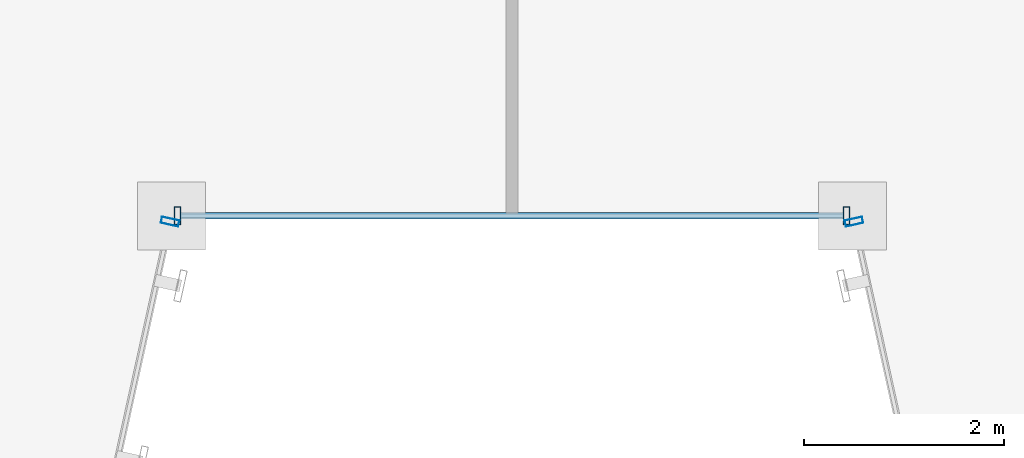
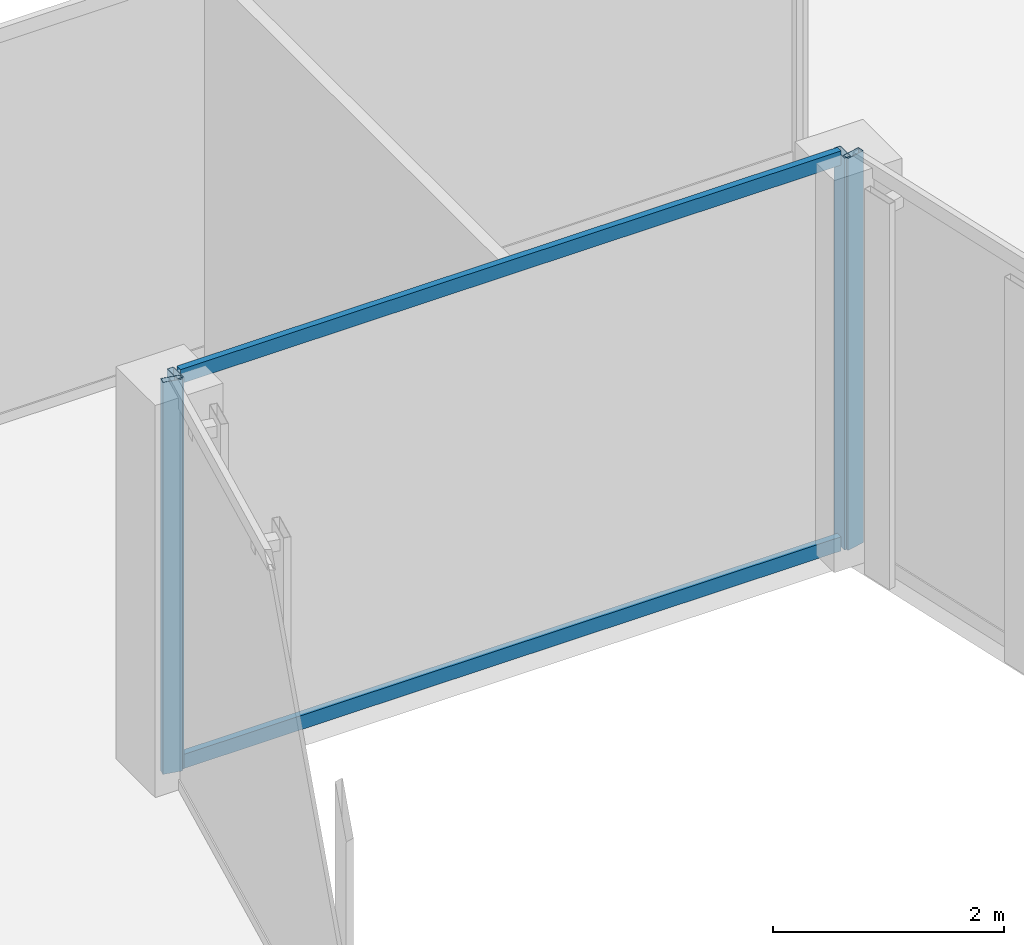
# One storey, part 9 of 47: 6 members, 3 elements without a shape of their own.
"""IFC4 building model written with IfcOpenShell, lengths in metres."""

from ifc_helpers import new_model, si_unit, direction, frame, origin, origin_2d, place, context, subcontext, project, spatial, hollow_rectangle, extrude, material, material_profile, profile_set, type_object, element, aggregate, save


model = new_model("IFC4")

# Units and contexts
model_context = context("Model", 3, precision=1e-05, world=origin(), true_north=direction((0.0, 1.0)))
body_context = subcontext(model_context, "Body", "Model", "MODEL_VIEW")
ifc_project = project(units=[si_unit("LENGTHUNIT", "METRE"), si_unit("AREAUNIT", "SQUARE_METRE"), si_unit("VOLUMEUNIT", "CUBIC_METRE"), si_unit("PLANEANGLEUNIT", "RADIAN"), si_unit("MASSUNIT", "GRAM", prefix="KILO")], contexts=[model_context])

# Site, building, storey
site_placement = place(None, origin())
site = spatial("IfcSite", under=ifc_project, at=site_placement, CompositionType="ELEMENT")
building_placement = place(site_placement, origin())
building = spatial("IfcBuilding", under=site, at=building_placement, Name="Saevonmaru Cultural Tower", CompositionType="ELEMENT")
storey_placement = place(building_placement, frame((0.0, 0.0, 60.39990234375)))
storey = spatial("IfcBuildingStorey", under=building, at=storey_placement, Name="L12", CompositionType="ELEMENT", Elevation=60.39990234375)

# Curtain wall, member
ifc_material = material(Name="Satin Bronze Anodised Aluminium", Category="aluminium")
curtain_wall_type = type_object("IfcCurtainWallType", Name="CW-TYP-A", PredefinedType="NOTDEFINED", material=ifc_material)
curtain_wall_1_placement = place(storey_placement, origin())
curtain_wall_1 = element("IfcCurtainWall", 1, at=curtain_wall_1_placement, inside=storey, type_object=curtain_wall_type, Name="L12 Unitised Curtain Wall E3", PredefinedType="NOTDEFINED")
ifc_material_profile_1 = material_profile(ifc_material, hollow_rectangle(XDim=0.06494140625, YDim=0.179931640625, WallThickness=0.00390625, at=origin_2d()), Name="ALU-MULL-180x65x4")
ifc_profile_set_1 = profile_set([ifc_material_profile_1], Name="Satin Bronze Anodised Aluminium")
member_type_1 = type_object("IfcMemberType", Name="ML-CW-180x65", PredefinedType="MULLION", material=ifc_profile_set_1)
member_1_placement = place(storey_placement, frame((26.587158203125, 15.54150390625, 0.0), z_axis=(0.0, 0.0, 1.0), x_axis=(0.215413319953, 0.976522965212, 0.0)))
member_1 = element("IfcMember", 2, at=member_1_placement, type_object=member_type_1, Name="CW-TW-L12-E3 mullion 2", PredefinedType="MULLION", context=body_context, shape_type="SweptSolid", body=[
    extrude(hollow_rectangle(XDim=0.06494140625, YDim=0.179931640625, WallThickness=0.00390625, at=origin_2d()), origin(), (0.0, 0.0, 1.0), 4.150146484375),
])
aggregate(curtain_wall_1, [member_1])

# Curtain wall, members
curtain_wall_2_placement = place(storey_placement, origin())
curtain_wall_2 = element("IfcCurtainWall", 3, at=curtain_wall_2_placement, inside=storey, type_object=curtain_wall_type, Name="L12 Unitised Curtain Wall E4", PredefinedType="NOTDEFINED")
member_2_placement = place(storey_placement, frame((26.659912109375, 15.60009765625, 0.0), z_axis=(0.0, 0.0, 1.0), x_axis=(1.0, 0.0, 0.0)))
member_2 = element("IfcMember", 4, at=member_2_placement, type_object=member_type_1, Name="CW-TW-L12-E4 mullion 1", PredefinedType="MULLION", context=body_context, shape_type="SweptSolid", body=[
    extrude(hollow_rectangle(XDim=0.06494140625, YDim=0.179931640625, WallThickness=0.00390625, at=origin_2d()), origin(), (0.0, 0.0, 1.0), 4.150146484375),
])
member_3_placement = place(storey_placement, frame((33.340087890625, 15.60009765625, 0.0), z_axis=(0.0, 0.0, 1.0), x_axis=(1.0, 0.0, 0.0)))
member_3 = element("IfcMember", 5, at=member_3_placement, type_object=member_type_1, Name="CW-TW-L12-E4 mullion 2", PredefinedType="MULLION", context=body_context, shape_type="SweptSolid", body=[
    extrude(hollow_rectangle(XDim=0.06494140625, YDim=0.179931640625, WallThickness=0.00390625, at=origin_2d()), origin(), (0.0, 0.0, 1.0), 4.150146484375),
])

# Curtain wall, member
curtain_wall_3_placement = place(storey_placement, origin())
curtain_wall_3 = element("IfcCurtainWall", 6, at=curtain_wall_3_placement, inside=storey, type_object=curtain_wall_type, Name="L12 Unitised Curtain Wall E5", PredefinedType="NOTDEFINED")
member_4_placement = place(storey_placement, frame((33.412841796875, 15.54150390625, 0.0), z_axis=(0.0, 0.0, 1.0), x_axis=(0.215413319953, -0.976522965212, 0.0)))
member_4 = element("IfcMember", 7, at=member_4_placement, type_object=member_type_1, Name="CW-TW-L12-E5 mullion 1", PredefinedType="MULLION", context=body_context, shape_type="SweptSolid", body=[
    extrude(hollow_rectangle(XDim=0.06494140625, YDim=0.179931640625, WallThickness=0.00390625, at=origin_2d()), origin(), (0.0, 0.0, 1.0), 4.150146484375),
])
aggregate(curtain_wall_3, [member_4])

# Member
ifc_material_profile_2 = material_profile(ifc_material, hollow_rectangle(XDim=0.06494140625, YDim=0.14990234375, WallThickness=0.00390625, at=origin_2d()), Name="ALU-TRAN-150x65x4")
ifc_profile_set_2 = profile_set([ifc_material_profile_2], Name="Satin Bronze Anodised Aluminium")
member_type_2 = type_object("IfcMemberType", Name="TR-CW-150x65", PredefinedType="USERDEFINED", material=ifc_profile_set_2)
member_5_placement = place(storey_placement, frame((26.6923828125, 15.60009765625, 0.03271484375), z_axis=(1.0, 0.0, 0.0), x_axis=(0.0, 1.0, 0.0)))
member_5 = element("IfcMember", 8, at=member_5_placement, type_object=member_type_2, Name="CW-TW-L12-E4 transom 1.1", ObjectType="TRANSOM", PredefinedType="USERDEFINED", context=body_context, shape_type="SweptSolid", body=[
    extrude(hollow_rectangle(XDim=0.06494140625, YDim=0.14990234375, WallThickness=0.00390625, at=origin_2d()), origin(), (0.0, 0.0, 1.0), 6.615234375),
])

member_6_placement = place(storey_placement, frame((26.6923828125, 15.60009765625, 4.11767578125), z_axis=(1.0, 0.0, 0.0), x_axis=(0.0, 1.0, 0.0)))
member_6 = element("IfcMember", 9, at=member_6_placement, type_object=member_type_2, Name="CW-TW-L12-E4 transom 1.2", ObjectType="TRANSOM", PredefinedType="USERDEFINED", context=body_context, shape_type="SweptSolid", body=[
    extrude(hollow_rectangle(XDim=0.06494140625, YDim=0.14990234375, WallThickness=0.00390625, at=origin_2d()), origin(), (0.0, 0.0, 1.0), 6.615234375),
])

aggregate(curtain_wall_2, [member_2, member_3, member_5, member_6])

save(model, "model.ifc")
